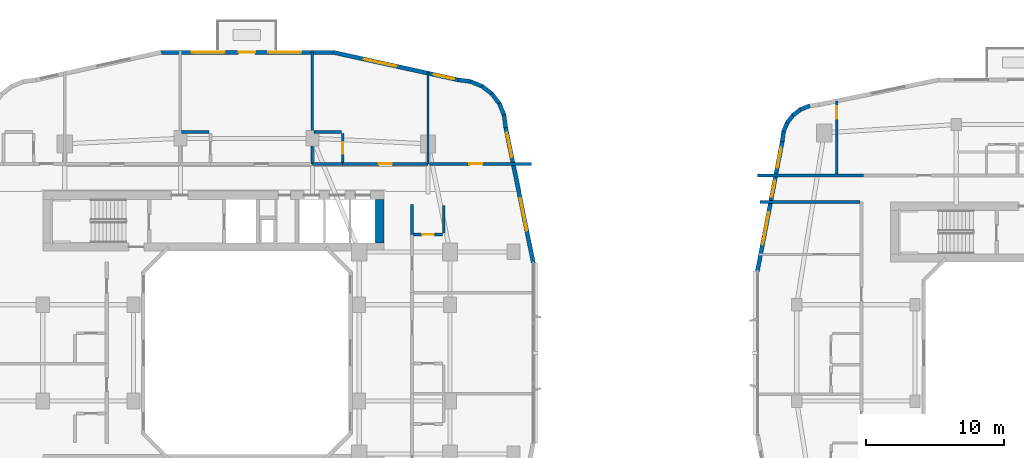
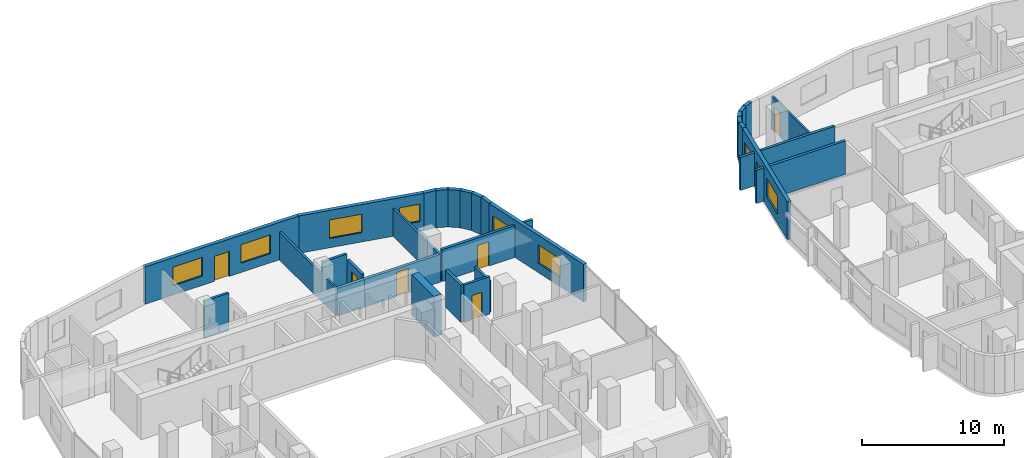
# One storey, part 12 of 22: 30 walls, 9 windows, 6 doors, 15 openings.
"""IFC4 building model written with IfcOpenShell, lengths in metres."""

import ifcopenshell
import ifcopenshell.guid

model = None  # the IFC model being written
_history = None  # IfcOwnerHistory: only IFC2X3 demands one
_inside = {}  # id of a spatial element -> (the spatial element, [elements in it])
_under = {}  # id of a project, library or spatial element -> (it, [spatial elements below it])
_declared = {}  # id of a project -> (the project, [libraries it declares])
_typed = {}  # id of a type object -> (the type object, [elements of that type])
_made_of = {}  # id of a material, layer set ... -> (it, [elements and type objects made of it])


def new_model(schema):
    """Start an empty IFC model of exactly this schema.

    Asked for "IFC4X3", IfcOpenShell would pick the latest addendum, in which some entities
    have other attributes; the version numbers below select the first issue.
    IFC2X3 requires an IfcOwnerHistory on every rooted entity: one is made here for all.
    """
    global model, _history
    if schema == "IFC4X3":
        model = ifcopenshell.file(schema_version=(4, 3, 0, 0))
    else:
        model = ifcopenshell.file(schema=schema)
    _inside.clear()
    _under.clear()
    _declared.clear()
    _typed.clear()
    _made_of.clear()
    _history = None
    if model.schema == "IFC2X3":
        org = make("IfcOrganization", Name="unknown")
        user = make(
            "IfcPersonAndOrganization",
            ThePerson=make("IfcPerson", FamilyName="unknown"),
            TheOrganization=org,
        )
        app = make(
            "IfcApplication",
            ApplicationDeveloper=org,
            Version="unknown",
            ApplicationFullName="unknown",
            ApplicationIdentifier="unknown",
        )
        _history = make(
            "IfcOwnerHistory",
            OwningUser=user,
            OwningApplication=app,
            ChangeAction="ADDED",
            CreationDate=0,
        )
    return model


def make(cls, **values):
    """One entity of the class cls with the attributes given. An attribute that is None is left unset."""
    return model.create_entity(
        cls, **{name: value for name, value in values.items() if value is not None}
    )


def rooted(cls, **values):
    """An entity with a GlobalId (a new one), such as an element, a storey or a relation."""
    return make(cls, GlobalId=ifcopenshell.guid.new(), OwnerHistory=_history, **values)


def si_unit(unit_type, name, prefix=None):
    """IfcSIUnit, for example si_unit("LENGTHUNIT", "METRE", prefix="MILLI")."""
    return make("IfcSIUnit", UnitType=unit_type, Prefix=prefix, Name=name)


def derived_unit(unit_type, elements):
    """IfcDerivedUnit: a product of units, each with its exponent."""
    return make(
        "IfcDerivedUnit",
        Elements=[
            make("IfcDerivedUnitElement", Unit=unit, Exponent=power)
            for unit, power in elements
        ],
        UnitType=unit_type,
    )


def assignment(units):
    """IfcUnitAssignment: the units of a project."""
    return None if units is None else make("IfcUnitAssignment", Units=units)


def point(xyz):
    """IfcCartesianPoint."""
    return None if xyz is None else make("IfcCartesianPoint", Coordinates=xyz)


def direction(xyz):
    """IfcDirection."""
    return None if xyz is None else make("IfcDirection", DirectionRatios=xyz)


def frame(location, z_axis=None, x_axis=None):
    """IfcAxis2Placement3D, a coordinate frame: its origin and axes. An axis left out is left unset."""
    return make(
        "IfcAxis2Placement3D",
        Location=point(location),
        Axis=direction(z_axis),
        RefDirection=direction(x_axis),
    )


def frame_2d(location, x_axis=None):
    """IfcAxis2Placement2D, a coordinate frame in the plane: its origin and x axis."""
    return make(
        "IfcAxis2Placement2D", Location=point(location), RefDirection=direction(x_axis)
    )


def origin():
    """The frame at (0, 0, 0) with its axes left unset."""
    return frame((0.0, 0.0, 0.0))


def place(relative_to, where):
    """IfcLocalPlacement: puts the frame where relative to a parent placement (None: the world)."""
    return make(
        "IfcLocalPlacement", PlacementRelTo=relative_to, RelativePlacement=where
    )


def context(
    kind, dimensions, precision=None, world=None, true_north=None, identifier=None
):
    """IfcGeometricRepresentationContext, for example the 3D "Model" context."""
    return make(
        "IfcGeometricRepresentationContext",
        ContextIdentifier=identifier,
        ContextType=kind,
        CoordinateSpaceDimension=dimensions,
        Precision=precision,
        WorldCoordinateSystem=world,
        TrueNorth=true_north,
    )


def subcontext(parent, identifier, kind, view, scale=None):
    """IfcGeometricRepresentationSubContext, for example "Body" below "Model"."""
    return make(
        "IfcGeometricRepresentationSubContext",
        ContextIdentifier=identifier,
        ContextType=kind,
        ParentContext=parent,
        TargetScale=scale,
        TargetView=view,
    )


def project(units=None, contexts=None):
    """IfcProject with its units and contexts."""
    return rooted(
        "IfcProject",
        Name="project",
        RepresentationContexts=contexts,
        UnitsInContext=assignment(units),
    )


def spatial(cls, under=None, at=None, **own):
    """A site, building, storey or space (cls), placed at a placement, below another one or the project."""
    s = rooted(cls, ObjectPlacement=at, **own)
    if under is not None:
        _under.setdefault(under.id(), (under, []))[1].append(s)
    return s


def profile(cls, at=None, kind="AREA", **sizes):
    """A parametric profile (cls). Its sizes go by their IFC names, for example OverallWidth=200.0."""
    return make(cls, ProfileType=kind, Position=at, **sizes)


def rectangle(**sizes):
    """IfcRectangleProfileDef."""
    return profile("IfcRectangleProfileDef", **sizes)


def extrude(swept, where, along, depth):
    """IfcExtrudedAreaSolid: the profile swept, set in the frame where, extruded along a direction by depth."""
    return make(
        "IfcExtrudedAreaSolid",
        SweptArea=swept,
        Position=where,
        ExtrudedDirection=direction(along),
        Depth=depth,
    )


def shape(context_of_items, identifier, shape_type, items):
    """IfcShapeRepresentation: the items that make up one representation, for example the "Body"."""
    return make(
        "IfcShapeRepresentation",
        ContextOfItems=context_of_items,
        RepresentationIdentifier=identifier,
        RepresentationType=shape_type,
        Items=items,
    )


def material(Name=None, Category=None):
    """IfcMaterial."""
    return make("IfcMaterial", Name=Name, Category=Category)


def layer(
    of_material, thickness, ventilated=None, Name=None, Category=None, Priority=None
):
    """IfcMaterialLayer: one layer of a wall or slab, of a material (None: an air gap)."""
    return make(
        "IfcMaterialLayer",
        Material=of_material,
        LayerThickness=thickness,
        IsVentilated=ventilated,
        Name=Name,
        Category=Category,
        Priority=Priority,
    )


def layer_set(layers, Name=None):
    """IfcMaterialLayerSet."""
    return make("IfcMaterialLayerSet", MaterialLayers=layers, LayerSetName=Name)


def made_of(thing, what):
    """Note that an element or type object is made of a material, layer set ...; save() writes the relation."""
    if what is not None:
        _made_of.setdefault(what.id(), (what, []))[1].append(thing)
    return thing


def type_object(cls, material=None, **own):
    """A type object (cls), such as IfcWallType, which elements share."""
    return made_of(rooted(cls, **own), material)


def element(
    cls,
    number,
    at=None,
    inside=None,
    cuts=None,
    type_object=None,
    material=None,
    context=None,
    identifier="Body",
    shape_type=None,
    held_by="IfcProductDefinitionShape",
    body=None,
    shapes=None,
    **own,
):
    """One element of the class cls, such as IfcWall. Its Tag is "e" and its number.

    at: its placement. inside: the storey or other place that contains it. cuts: it is an
    opening in that element (IfcRelVoidsElement). A single representation is given by context,
    identifier, shape_type and body (its items); several are given by shapes. held_by: the class
    of the entity that holds the representations. save() writes the other relations.
    """
    e = rooted(cls, Tag="e%d" % number, ObjectPlacement=at, **own)
    if body is not None:
        shapes = [shape(context, identifier, shape_type, body)]
    if shapes is not None:
        e.Representation = make(held_by, Representations=shapes)
    if inside is not None:
        _inside.setdefault(inside.id(), (inside, []))[1].append(e)
    if cuts is not None:
        rooted(
            "IfcRelVoidsElement", RelatingBuildingElement=cuts, RelatedOpeningElement=e
        )
    if type_object is not None:
        _typed.setdefault(type_object.id(), (type_object, []))[1].append(e)
    return made_of(e, material)


def fill(opening, filler):
    """IfcRelFillsElement: the door or window that sits in an opening."""
    return rooted(
        "IfcRelFillsElement",
        RelatingOpeningElement=opening,
        RelatedBuildingElement=filler,
    )


def aggregate(whole, parts):
    """IfcRelAggregates: a whole, such as a stair, and the parts it consists of."""
    return rooted("IfcRelAggregates", RelatingObject=whole, RelatedObjects=parts)


def save(model, path):
    """Write the relations noted so far, then the file.

    IfcRelAggregates (storeys below a building ...), IfcRelContainedInSpatialStructure (elements
    in a storey), IfcRelDefinesByType, IfcRelAssociatesMaterial and IfcRelDeclares: one each for
    every whole, place, type object, material and project.
    """
    for whole, parts in _under.values():
        aggregate(whole, parts)
    for where, things in _inside.values():
        rooted(
            "IfcRelContainedInSpatialStructure",
            RelatedElements=things,
            RelatingStructure=where,
        )
    for kind, things in _typed.values():
        rooted("IfcRelDefinesByType", RelatedObjects=things, RelatingType=kind)
    for what, things in _made_of.values():
        rooted("IfcRelAssociatesMaterial", RelatedObjects=things, RelatingMaterial=what)
    for by, libraries in _declared.values():
        rooted("IfcRelDeclares", RelatingContext=by, RelatedDefinitions=libraries)
    model.write(path)


model = new_model("IFC4")

# Units and contexts
model_context = context("Model", 3, precision=1e-05, world=origin(), true_north=direction((0.0, 1.0)))
body_context = subcontext(model_context, "Body", "Model", "MODEL_VIEW")
ifc_project = project(units=[si_unit("LENGTHUNIT", "METRE"), si_unit("AREAUNIT", "SQUARE_METRE"), si_unit("VOLUMEUNIT", "CUBIC_METRE"), si_unit("PLANEANGLEUNIT", "RADIAN"), si_unit("MASSUNIT", "GRAM", prefix="KILO"), derived_unit("THERMALTRANSMITTANCEUNIT", [(si_unit("POWERUNIT", "WATT"), 1), (si_unit("LENGTHUNIT", "METRE"), -2), (si_unit("THERMODYNAMICTEMPERATUREUNIT", "KELVIN"), -1)])], contexts=[model_context])

# Site, building, storey
site_placement = place(None, origin())
site = spatial("IfcSite", under=ifc_project, at=site_placement, CompositionType="ELEMENT")
building_placement = place(site_placement, origin())
building = spatial("IfcBuilding", under=site, at=building_placement, Name="Kivonza Crest Hotel", CompositionType="ELEMENT")
storey_placement = place(building_placement, frame((0.0, 0.0, 27.5)))
storey = spatial("IfcBuildingStorey", under=building, at=storey_placement, Name="L06", CompositionType="ELEMENT", Elevation=27.5)

# Walls
ifc_material_1 = material(Name="High-density acoustic masonry inter-tenancy wall", Category="masonry")
ifc_layer_1 = layer(ifc_material_1, 0.179931640625)
ifc_layer_set_1 = layer_set([ifc_layer_1], Name="High-density acoustic masonry inter-tenancy wall")
wall_type_1 = type_object("IfcWallType", Name="WL-ACOU-180", PredefinedType="SOLIDWALL", material=ifc_layer_set_1)
wall_1_placement = place(storey_placement, frame((25.800048828125, 38.75, 0.0), z_axis=(0.0, 0.0, 1.0), x_axis=(0.0, 1.0, 0.0)))
element("IfcWall", 1, at=wall_1_placement, inside=storey, type_object=wall_type_1, Name="L06 interior partition WA-L06-T1N-DIV3", PredefinedType="SOLIDWALL", context=body_context, shape_type="SweptSolid", body=[
    extrude(rectangle(XDim=8.18994140625, YDim=0.179931640625, at=frame_2d((4.094970703125, 0.0))), origin(), (0.0, 0.0, 1.0), 2.39501953125),
])
wall_2_placement = place(storey_placement, frame((34.199951171875, 38.75, 0.0), z_axis=(0.0, 0.0, 1.0), x_axis=(0.0, 1.0, 0.0)))
element("IfcWall", 2, at=wall_2_placement, inside=storey, type_object=wall_type_1, Name="L06 interior partition WA-L06-T1N-DIV4", PredefinedType="SOLIDWALL", context=body_context, shape_type="SweptSolid", body=[
    extrude(rectangle(XDim=6.674072265625, YDim=0.179931640625, at=frame_2d((3.3369140625, 0.0))), origin(), (0.0, 0.0, 1.0), 2.39501953125),
])
ifc_material_2 = material(Name="Autoclaved aerated concrete blockwork", Category="masonry")
ifc_layer_2 = layer(ifc_material_2, 0.219970703125)
ifc_layer_set_2 = layer_set([ifc_layer_2], Name="Autoclaved aerated concrete blockwork")
wall_type_2 = type_object("IfcWallType", Name="WL-ACOU-220", PredefinedType="SOLIDWALL", material=ifc_layer_set_2)
wall_3_placement = place(storey_placement, frame((25.800048828125, 38.75, 0.0), z_axis=(0.0, 0.0, 1.0), x_axis=(1.0, 0.0, 0.0)))
element("IfcWall", 3, at=wall_3_placement, inside=storey, type_object=wall_type_2, Name="L06 interior partition WA-L06-N03-BCORR", PredefinedType="SOLIDWALL", context=body_context, shape_type="SweptSolid", body=[
    extrude(rectangle(XDim=2.199951171875, YDim=0.219970703125, at=frame_2d((1.10009765625, 0.0))), origin(), (0.0, 0.0, 1.0), 2.39501953125),
])

# Wall, opening, door
wall_4_placement = place(storey_placement, frame((28.0, 38.75, 0.0), z_axis=(0.0, 0.0, 1.0), x_axis=(1.0, 0.0, 0.0)))
wall_4 = element("IfcWall", 4, at=wall_4_placement, inside=storey, type_object=wall_type_2, Name="L06 interior partition WA-L06-N03-MCORR", PredefinedType="SOLIDWALL", context=body_context, shape_type="SweptSolid", body=[
    extrude(rectangle(XDim=6.199951171875, YDim=0.219970703125, at=frame_2d((3.10009765625, 0.0))), origin(), (0.0, 0.0, 1.0), 2.39501953125),
])
opening_1_placement = place(wall_4_placement, frame((2.625, 0.0, 0.0)))
opening_1 = element("IfcOpeningElement", 5, at=opening_1_placement, cuts=wall_4, Name="Opening DU-60", PredefinedType="OPENING", context=body_context, shape_type="SweptSolid", body=[
    extrude(rectangle(XDim=0.949951171875, YDim=2.10009765625, at=frame_2d((0.47509765625, 1.050048828125))), frame((0.0, 0.1201171875, 0.0), z_axis=(0.0, -1.0, 0.0), x_axis=(1.0, 0.0, 0.0)), (0.0, 0.0, 1.0), 0.239990234375),
])
ifc_material_3 = material(Name="Hardwood timber oak", Category="wood")
door_type_1 = type_object("IfcDoorType", Name="DR-UNIT-950", OperationType="NOTDEFINED", PredefinedType="DOOR", material=ifc_material_3)
door_1_placement = place(opening_1_placement, origin())
door_1 = element("IfcDoor", 6, at=door_1_placement, inside=storey, type_object=door_type_1, Name="L06 N03 guest unit entrance fire door", OperationType="SINGLE_SWING_LEFT", OverallHeight=2.10009765625, OverallWidth=0.949951171875, PredefinedType="DOOR", context=body_context, shape_type="SweptSolid", body=[
    extrude(rectangle(XDim=0.949951171875, YDim=2.10009765625, at=frame_2d((0.47509765625, 1.050048828125))), frame((0.0, 0.02490234375, 0.0), z_axis=(0.0, -1.0, 0.0), x_axis=(1.0, 0.0, 0.0)), (0.0, 0.0, 1.0), 0.050048828125),
])
fill(opening_1, door_1)

wall_5_placement = place(storey_placement, frame((34.300048828125, 38.75, 0.0), z_axis=(0.0, 0.0, 1.0), x_axis=(1.0, 0.0, 0.0)))
wall_5 = element("IfcWall", 7, at=wall_5_placement, inside=storey, type_object=wall_type_2, Name="L06 interior partition WA-L06-N-AMEN-S", PredefinedType="SOLIDWALL", context=body_context, shape_type="SweptSolid", body=[
    extrude(rectangle(XDim=7.43994140625, YDim=0.219970703125, at=frame_2d((3.719970703125, 0.0))), origin(), (0.0, 0.0, 1.0), 2.7451171875),
])
opening_2_placement = place(wall_5_placement, frame((2.910888671875, 0.0, 0.0)))
opening_2 = element("IfcOpeningElement", 8, at=opening_2_placement, cuts=wall_5, Name="Opening DF-60S", PredefinedType="OPENING", context=body_context, shape_type="SweptSolid", body=[
    extrude(rectangle(XDim=0.949951171875, YDim=2.10009765625, at=frame_2d((0.47509765625, 1.050048828125))), frame((0.0, 0.1201171875, 0.0), z_axis=(0.0, -1.0, 0.0), x_axis=(1.0, 0.0, 0.0)), (0.0, 0.0, 1.0), 0.239990234375),
])
door_type_2 = type_object("IfcDoorType", Name="DR-FD60-950", OperationType="NOTDEFINED", PredefinedType="DOOR", material=ifc_material_3)
door_2_placement = place(opening_2_placement, origin())
door_2 = element("IfcDoor", 9, at=door_2_placement, inside=storey, type_object=door_type_2, Name="L06 Private Fitness Gym Studio door", OperationType="SINGLE_SWING_LEFT", OverallHeight=2.10009765625, OverallWidth=0.949951171875, PredefinedType="DOOR", context=body_context, shape_type="SweptSolid", body=[
    extrude(rectangle(XDim=0.949951171875, YDim=2.10009765625, at=frame_2d((0.47509765625, 1.050048828125))), frame((0.0, 0.02490234375, 0.0), z_axis=(0.0, -1.0, 0.0), x_axis=(1.0, 0.0, 0.0)), (0.0, 0.0, 1.0), 0.050048828125),
])
fill(opening_2, door_2)

# Walls
wall_6_placement = place(storey_placement, frame((33.050048828125, 33.60009765625, 0.0), z_axis=(0.0, 0.0, 1.0), x_axis=(0.0, 1.0, 0.0)))
element("IfcWall", 10, at=wall_6_placement, inside=storey, type_object=wall_type_2, Name="L06 interior partition WA-L06-E10-BCORR", PredefinedType="SOLIDWALL", context=body_context, shape_type="SweptSolid", body=[
    extrude(rectangle(XDim=2.199951171875, YDim=0.219970703125, at=frame_2d((1.10009765625, 0.0))), origin(), (0.0, 0.0, 1.0), 3.219970703125),
])
wall_7_placement = place(storey_placement, frame((58.159912109375, 37.89990234375, 0.0), z_axis=(0.0, 0.0, 1.0), x_axis=(1.0, 0.0, 0.0)))
element("IfcWall", 11, at=wall_7_placement, inside=storey, type_object=wall_type_2, Name="L06 interior partition WA-L06-A01-LCORR", PredefinedType="SOLIDWALL", context=body_context, shape_type="SweptSolid", body=[
    extrude(rectangle(XDim=7.690185546875, YDim=0.219970703125, at=frame_2d((3.84521484375, 0.0))), origin(), (0.0, 0.0, 1.0), 2.864990234375),
])
wall_8_placement = place(storey_placement, frame((58.320068359375, 35.9599609375, 0.0), z_axis=(0.0, 0.0, 1.0), x_axis=(1.0, 0.0, 0.0)))
element("IfcWall", 12, at=wall_8_placement, inside=storey, type_object=wall_type_2, Name="L06 interior partition WA-L06-T2W-ENDN", PredefinedType="SOLIDWALL", context=body_context, shape_type="SweptSolid", body=[
    extrude(rectangle(XDim=7.280029296875, YDim=0.219970703125, at=frame_2d((3.64013671875, 0.0))), origin(), (0.0, 0.0, 1.0), 2.864990234375),
])
ifc_material_4 = material(Name="Concrete C60/75", Category="concrete")
ifc_layer_3 = layer(ifc_material_4, 0.60009765625)
ifc_layer_set_3 = layer_set([ifc_layer_3], Name="Concrete C60/75")
wall_type_3 = type_object("IfcWallType", Name="WL-CORE-600", PredefinedType="SHEAR", material=ifc_layer_set_3)
wall_9_placement = place(storey_placement, frame((30.699951171875, 33.0, 0.0), z_axis=(0.0, 0.0, 1.0), x_axis=(0.0, 1.0, 0.0)))
element("IfcWall", 13, at=wall_9_placement, inside=storey, type_object=wall_type_3, Name="Core wall T1-N East L06", PredefinedType="SHEAR", context=body_context, shape_type="SweptSolid", body=[
    extrude(rectangle(XDim=3.159912109375, YDim=0.60009765625, at=frame_2d((1.580078125, 0.0))), origin(), (0.0, 0.0, 1.0), 3.5),
])

# Wall, openings, windows
ifc_material_5 = material(Name="Precast concrete C40/50", Category="concrete")
ifc_layer_4 = layer(ifc_material_5, 0.300048828125)
ifc_layer_set_4 = layer_set([ifc_layer_4], Name="Precast concrete C40/50")
wall_type_4 = type_object("IfcWallType", Name="WL-EXT-300", PredefinedType="STANDARD", material=ifc_layer_set_4)
wall_10_placement = place(storey_placement, frame((41.864013671875, 31.51611328125, 0.0), z_axis=(0.0, 0.0, 1.0), x_axis=(-0.199990901713, 0.979797754249, 0.0)))
wall_10 = element("IfcWall", 14, at=wall_10_placement, inside=storey, type_object=wall_type_4, Name="L06 T1 exterior insulated wall 18", PredefinedType="STANDARD", context=body_context, shape_type="SweptSolid", body=[
    extrude(rectangle(XDim=10.065185546875, YDim=0.300048828125, at=frame_2d((5.03271484375, 0.0))), origin(), (0.0, 0.0, 1.0), 3.219970703125),
])
opening_3_placement = place(wall_10_placement, frame((2.428955078125, 0.0, 0.800048828125)))
opening_3 = element("IfcOpeningElement", 15, at=opening_3_placement, cuts=wall_10, Name="Opening WN-05", PredefinedType="OPENING", context=body_context, shape_type="SweptSolid", body=[
    extrude(rectangle(XDim=2.39990234375, YDim=1.60009765625, at=frame_2d((1.199951171875, 0.800048828125))), frame((0.0, 0.16015625, 0.0), z_axis=(0.0, -1.0, 0.0), x_axis=(1.0, 0.0, 0.0)), (0.0, 0.0, 1.0), 0.320068359375),
])
opening_4_placement = place(wall_10_placement, frame((7.886962890625, 0.0, 0.85009765625)))
opening_4 = element("IfcOpeningElement", 16, at=opening_4_placement, cuts=wall_10, Name="Opening WN-03", PredefinedType="OPENING", context=body_context, shape_type="SweptSolid", body=[
    extrude(rectangle(XDim=1.800048828125, YDim=1.5, at=frame_2d((0.89990234375, 0.75))), frame((0.0, 0.16015625, 0.0), z_axis=(0.0, -1.0, 0.0), x_axis=(1.0, 0.0, 0.0)), (0.0, 0.0, 1.0), 0.320068359375),
])
ifc_material_6 = material(Name="Thermally broken bronze aluminium and low-E double glazing", Category="aluminium")
window_type_1 = type_object("IfcWindowType", Name="WN-180x150", PartitioningType="DOUBLE_PANEL_VERTICAL", PredefinedType="WINDOW", material=ifc_material_6)
window_1_placement = place(opening_4_placement, origin())
window_1 = element("IfcWindow", 17, at=window_1_placement, inside=storey, type_object=window_type_1, Name="L06 T1 facade window 18 bay 2", OverallHeight=1.5, OverallWidth=1.800048828125, PartitioningType="SINGLE_PANEL", PredefinedType="WINDOW", context=body_context, shape_type="SweptSolid", body=[
    extrude(rectangle(XDim=1.800048828125, YDim=1.5, at=frame_2d((0.89990234375, 0.75))), frame((0.0, 0.030029296875, 0.0), z_axis=(0.0, -1.0, 0.0), x_axis=(1.0, 0.0, 0.0)), (0.0, 0.0, 1.0), 0.06005859375),
])
fill(opening_4, window_1)
window_type_2 = type_object("IfcWindowType", Name="WN-240x160", PartitioningType="TRIPLE_PANEL_VERTICAL", PredefinedType="WINDOW", material=ifc_material_6)
window_2_placement = place(opening_3_placement, origin())
window_2 = element("IfcWindow", 18, at=window_2_placement, inside=storey, type_object=window_type_2, Name="L06 T1 facade window 18 bay 1", OverallHeight=1.60009765625, OverallWidth=2.39990234375, PartitioningType="SINGLE_PANEL", PredefinedType="WINDOW", context=body_context, shape_type="SweptSolid", body=[
    extrude(rectangle(XDim=2.39990234375, YDim=1.60009765625, at=frame_2d((1.199951171875, 0.800048828125))), frame((0.0, 0.030029296875, 0.0), z_axis=(0.0, -1.0, 0.0), x_axis=(1.0, 0.0, 0.0)), (0.0, 0.0, 1.0), 0.06005859375),
])
fill(opening_3, window_2)

# Walls
wall_11_placement = place(storey_placement, frame((39.85205078125, 41.3720703125, 0.0), z_axis=(0.0, 0.0, 1.0), x_axis=(-0.131174864804, 0.991359246108, 0.0)))
element("IfcWall", 19, at=wall_11_placement, inside=storey, type_object=wall_type_4, Name="L06 T1 exterior insulated wall 19", PredefinedType="STANDARD", context=body_context, shape_type="SweptSolid", body=[
    extrude(rectangle(XDim=0.93798828125, YDim=0.300048828125, at=frame_2d((0.468994140625, 0.0))), origin(), (0.0, 0.0, 1.0), 3.219970703125),
])
wall_12_placement = place(storey_placement, frame((39.748046875, 42.251953125, 0.0), z_axis=(0.0, 0.0, 1.0), x_axis=(-0.382344263057, 0.924019948111, 0.0)))
element("IfcWall", 20, at=wall_12_placement, inside=storey, type_object=wall_type_4, Name="L06 T1 exterior insulated wall 20", PredefinedType="STANDARD", context=body_context, shape_type="SweptSolid", body=[
    extrude(rectangle(XDim=0.95458984375, YDim=0.300048828125, at=frame_2d((0.477294921875, 0.0))), origin(), (0.0, 0.0, 1.0), 3.219970703125),
])
wall_13_placement = place(storey_placement, frame((39.4140625, 43.089111328125, 0.0), z_axis=(0.0, 0.0, 1.0), x_axis=(-0.608474481025, 0.793573440799, 0.0)))
element("IfcWall", 21, at=wall_13_placement, inside=storey, type_object=wall_type_4, Name="L06 T1 exterior insulated wall 21", PredefinedType="STANDARD", context=body_context, shape_type="SweptSolid", body=[
    extrude(rectangle(XDim=0.954833984375, YDim=0.300048828125, at=frame_2d((0.4775390625, 0.0))), origin(), (0.0, 0.0, 1.0), 3.219970703125),
])
wall_14_placement = place(storey_placement, frame((38.875, 43.81201171875, 0.0), z_axis=(0.0, 0.0, 1.0), x_axis=(-0.793668068435, 0.608351047625, 0.0)))
element("IfcWall", 22, at=wall_14_placement, inside=storey, type_object=wall_type_4, Name="L06 T1 exterior insulated wall 22", PredefinedType="STANDARD", context=body_context, shape_type="SweptSolid", body=[
    extrude(rectangle(XDim=0.955078125, YDim=0.300048828125, at=frame_2d((0.4775390625, 0.0))), origin(), (0.0, 0.0, 1.0), 3.219970703125),
])
wall_15_placement = place(storey_placement, frame((38.166015625, 44.368896484375, 0.0), z_axis=(0.0, 0.0, 1.0), x_axis=(-0.924019948111, 0.382344263057, 0.0)))
element("IfcWall", 23, at=wall_15_placement, inside=storey, type_object=wall_type_4, Name="L06 T1 exterior insulated wall 23", PredefinedType="STANDARD", context=body_context, shape_type="SweptSolid", body=[
    extrude(rectangle(XDim=0.95458984375, YDim=0.300048828125, at=frame_2d((0.477294921875, 0.0))), origin(), (0.0, 0.0, 1.0), 3.219970703125),
])
wall_16_placement = place(storey_placement, frame((37.3369140625, 44.72509765625, 0.0), z_axis=(0.0, 0.0, 1.0), x_axis=(-0.991454295543, 0.130454512571, 0.0)))
element("IfcWall", 24, at=wall_16_placement, inside=storey, type_object=wall_type_4, Name="L06 T1 exterior insulated wall 24", PredefinedType="STANDARD", context=body_context, shape_type="SweptSolid", body=[
    extrude(rectangle(XDim=0.97314453125, YDim=0.300048828125, at=frame_2d((0.486572265625, 0.0))), origin(), (0.0, 0.0, 1.0), 3.219970703125),
])

# Wall, openings, windows
wall_17_placement = place(storey_placement, frame((36.3759765625, 44.85205078125, 0.0), z_axis=(0.0, 0.0, 1.0), x_axis=(-0.976540764801, 0.215332614068, 0.0)))
wall_17 = element("IfcWall", 25, at=wall_17_placement, inside=storey, type_object=wall_type_4, Name="L06 T1 exterior insulated wall 25", PredefinedType="STANDARD", context=body_context, shape_type="SweptSolid", body=[
    extrude(rectangle(XDim=9.287841796875, YDim=0.300048828125, at=frame_2d((4.64404296875, 0.0))), origin(), (0.0, 0.0, 1.0), 3.219970703125),
])
opening_5_placement = place(wall_17_placement, frame((0.299072265625, 0.0, 0.85009765625)))
opening_5 = element("IfcOpeningElement", 26, at=opening_5_placement, cuts=wall_17, Name="Opening WN-02", PredefinedType="OPENING", context=body_context, shape_type="SweptSolid", body=[
    extrude(rectangle(XDim=1.5, YDim=1.5, at=frame_2d((0.75, 0.75))), frame((0.0, 0.16015625, 0.0), z_axis=(0.0, -1.0, 0.0), x_axis=(1.0, 0.0, 0.0)), (0.0, 0.0, 1.0), 0.320068359375),
])
opening_6_placement = place(wall_17_placement, frame((4.597900390625, 0.0, 0.800048828125)))
opening_6 = element("IfcOpeningElement", 27, at=opening_6_placement, cuts=wall_17, Name="Opening WN-05", PredefinedType="OPENING", context=body_context, shape_type="SweptSolid", body=[
    extrude(rectangle(XDim=2.39990234375, YDim=1.60009765625, at=frame_2d((1.199951171875, 0.800048828125))), frame((0.0, 0.16015625, 0.0), z_axis=(0.0, -1.0, 0.0), x_axis=(1.0, 0.0, 0.0)), (0.0, 0.0, 1.0), 0.320068359375),
])
window_type_3 = type_object("IfcWindowType", Name="WN-150x150", PartitioningType="DOUBLE_PANEL_VERTICAL", PredefinedType="WINDOW", material=ifc_material_6)
window_3_placement = place(opening_5_placement, origin())
window_3 = element("IfcWindow", 28, at=window_3_placement, inside=storey, type_object=window_type_3, Name="L06 T1 facade window 25 bay 1", OverallHeight=1.5, OverallWidth=1.5, PartitioningType="SINGLE_PANEL", PredefinedType="WINDOW", context=body_context, shape_type="SweptSolid", body=[
    extrude(rectangle(XDim=1.5, YDim=1.5, at=frame_2d((0.75, 0.75))), frame((0.0, 0.030029296875, 0.0), z_axis=(0.0, -1.0, 0.0), x_axis=(1.0, 0.0, 0.0)), (0.0, 0.0, 1.0), 0.06005859375),
])
fill(opening_5, window_3)
window_4_placement = place(opening_6_placement, origin())
window_4 = element("IfcWindow", 29, at=window_4_placement, inside=storey, type_object=window_type_2, Name="L06 T1 facade window 25 bay 2", OverallHeight=1.60009765625, OverallWidth=2.39990234375, PartitioningType="SINGLE_PANEL", PredefinedType="WINDOW", context=body_context, shape_type="SweptSolid", body=[
    extrude(rectangle(XDim=2.39990234375, YDim=1.60009765625, at=frame_2d((1.199951171875, 0.800048828125))), frame((0.0, 0.030029296875, 0.0), z_axis=(0.0, -1.0, 0.0), x_axis=(1.0, 0.0, 0.0)), (0.0, 0.0, 1.0), 0.06005859375),
])
fill(opening_6, window_4)

# Wall, openings, door, windows
wall_18_placement = place(storey_placement, frame((27.35302734375, 46.85009765625, 0.0), z_axis=(0.0, 0.0, 1.0), x_axis=(-1.0, 0.0, 0.0)))
wall_18 = element("IfcWall", 30, at=wall_18_placement, inside=storey, type_object=wall_type_4, Name="L06 T1 exterior insulated wall 26", PredefinedType="STANDARD", context=body_context, shape_type="SweptSolid", body=[
    extrude(rectangle(XDim=12.591064453125, YDim=0.300048828125, at=frame_2d((6.29541015625, 0.0))), origin(), (0.0, 0.0, 1.0), 3.219970703125),
])
opening_7_placement = place(wall_18_placement, frame((5.712890625, 0.0, 0.0)))
opening_7 = element("IfcOpeningElement", 31, at=opening_7_placement, cuts=wall_18, Name="Opening DT-120", PredefinedType="OPENING", context=body_context, shape_type="SweptSolid", body=[
    extrude(rectangle(XDim=1.199951171875, YDim=2.14990234375, at=frame_2d((0.60009765625, 1.074951171875))), frame((0.0, 0.16015625, 0.0), z_axis=(0.0, -1.0, 0.0), x_axis=(1.0, 0.0, 0.0)), (0.0, 0.0, 1.0), 0.320068359375),
])
opening_8_placement = place(wall_18_placement, frame((2.35791015625, 0.0, 0.800048828125)))
opening_8 = element("IfcOpeningElement", 32, at=opening_8_placement, cuts=wall_18, Name="Opening WN-05", PredefinedType="OPENING", context=body_context, shape_type="SweptSolid", body=[
    extrude(rectangle(XDim=2.39990234375, YDim=1.60009765625, at=frame_2d((1.199951171875, 0.800048828125))), frame((0.0, 0.16015625, 0.0), z_axis=(0.0, -1.0, 0.0), x_axis=(1.0, 0.0, 0.0)), (0.0, 0.0, 1.0), 0.320068359375),
])
opening_9_placement = place(wall_18_placement, frame((7.907958984375, 0.0, 0.800048828125)))
opening_9 = element("IfcOpeningElement", 33, at=opening_9_placement, cuts=wall_18, Name="Opening WN-05", PredefinedType="OPENING", context=body_context, shape_type="SweptSolid", body=[
    extrude(rectangle(XDim=2.39990234375, YDim=1.60009765625, at=frame_2d((1.199951171875, 0.800048828125))), frame((0.0, 0.16015625, 0.0), z_axis=(0.0, -1.0, 0.0), x_axis=(1.0, 0.0, 0.0)), (0.0, 0.0, 1.0), 0.320068359375),
])
ifc_material_7 = material(Name="Anodised bronze aluminium and laminated safety glass", Category="aluminium")
door_type_3 = type_object("IfcDoorType", Name="DR-TERR-1200", OperationType="NOTDEFINED", PredefinedType="DOOR", material=ifc_material_7)
door_3_placement = place(opening_7_placement, frame((1.199951171875, 0.0, 0.0), z_axis=(0.0, 0.0, 1.0), x_axis=(-1.0, 0.0, 0.0)))
door_3 = element("IfcDoor", 34, at=door_3_placement, inside=storey, type_object=door_type_3, Name="T1 L06 NE sky-garden bridge access door", OperationType="SINGLE_SWING_LEFT", OverallHeight=2.14990234375, OverallWidth=1.199951171875, PredefinedType="DOOR", context=body_context, shape_type="SweptSolid", body=[
    extrude(rectangle(XDim=1.199951171875, YDim=2.14990234375, at=frame_2d((0.60009765625, 1.074951171875))), frame((0.0, 0.02490234375, 0.0), z_axis=(0.0, -1.0, 0.0), x_axis=(1.0, 0.0, 0.0)), (0.0, 0.0, 1.0), 0.050048828125),
])
fill(opening_7, door_3)
window_5_placement = place(opening_8_placement, origin())
window_5 = element("IfcWindow", 35, at=window_5_placement, inside=storey, type_object=window_type_2, Name="L06 T1 facade window 26 bay 1", OverallHeight=1.60009765625, OverallWidth=2.39990234375, PartitioningType="SINGLE_PANEL", PredefinedType="WINDOW", context=body_context, shape_type="SweptSolid", body=[
    extrude(rectangle(XDim=2.39990234375, YDim=1.60009765625, at=frame_2d((1.199951171875, 0.800048828125))), frame((0.0, 0.030029296875, 0.0), z_axis=(0.0, -1.0, 0.0), x_axis=(1.0, 0.0, 0.0)), (0.0, 0.0, 1.0), 0.06005859375),
])
fill(opening_8, window_5)
window_6_placement = place(opening_9_placement, origin())
window_6 = element("IfcWindow", 36, at=window_6_placement, inside=storey, type_object=window_type_2, Name="L06 T1 facade window 26 bay 2", OverallHeight=1.60009765625, OverallWidth=2.39990234375, PartitioningType="SINGLE_PANEL", PredefinedType="WINDOW", context=body_context, shape_type="SweptSolid", body=[
    extrude(rectangle(XDim=2.39990234375, YDim=1.60009765625, at=frame_2d((1.199951171875, 0.800048828125))), frame((0.0, 0.030029296875, 0.0), z_axis=(0.0, -1.0, 0.0), x_axis=(1.0, 0.0, 0.0)), (0.0, 0.0, 1.0), 0.06005859375),
])
fill(opening_9, window_6)

# Walls
for number, where, z_axis, x_axis, name in (
    (37, (61.955078125, 42.97607421875, 0.0), (0.0, 0.0, 1.0), (-0.923521684703, -0.383546213491, 0.0), "L06 T2 exterior insulated wall 29"),
    (38, (61.31103515625, 42.720947265625, 0.0), (0.0, 0.0, 1.0), (-0.79363269798, -0.608397189915, 0.0), "L06 T2 exterior insulated wall 30"),
    (39, (60.75390625, 42.30908203125, 0.0), (0.0, 0.0, 1.0), (-0.608397189915, -0.79363269798, 0.0), "L06 T2 exterior insulated wall 31"),
    (40, (60.323974609375, 41.76611328125, 0.0), (0.0, 0.0, 1.0), (-0.383151213466, -0.923685632463, 0.0), "L06 T2 exterior insulated wall 32"),
):
    element("IfcWall", number, at=place(storey_placement, frame(where, z_axis=z_axis, x_axis=x_axis)), inside=storey, type_object=wall_type_4, Name=name, PredefinedType="STANDARD", context=body_context, shape_type="SweptSolid", body=[
        extrude(rectangle(XDim=0.74609375, YDim=0.300048828125, at=frame_2d((0.373046875, 0.0))), origin(), (0.0, 0.0, 1.0), 3.25),
    ])
wall_19_placement = place(storey_placement, frame((60.047119140625, 41.131103515625, 0.0), z_axis=(0.0, 0.0, 1.0), x_axis=(-0.129653178221, -0.991559404866, 0.0)))
element("IfcWall", 41, at=wall_19_placement, inside=storey, type_object=wall_type_4, Name="L06 T2 exterior insulated wall 33", PredefinedType="STANDARD", context=body_context, shape_type="SweptSolid", body=[
    extrude(rectangle(XDim=0.764404296875, YDim=0.300048828125, at=frame_2d((0.38232421875, 0.0))), origin(), (0.0, 0.0, 1.0), 3.25),
])

# Wall, openings, windows
wall_20_placement = place(storey_placement, frame((59.948974609375, 40.3798828125, 0.0), z_axis=(0.0, 0.0, 1.0), x_axis=(-0.188087874316, -0.982152203854, 0.0)))
wall_20 = element("IfcWall", 42, at=wall_20_placement, inside=storey, type_object=wall_type_4, Name="L06 T2 exterior insulated wall 34", PredefinedType="STANDARD", context=body_context, shape_type="SweptSolid", body=[
    extrude(rectangle(XDim=9.6337890625, YDim=0.300048828125, at=frame_2d((4.81689453125, 0.0))), origin(), (0.0, 0.0, 1.0), 3.25),
])
opening_10_placement = place(wall_20_placement, frame((0.451904296875, 0.0, 0.85009765625)))
opening_10 = element("IfcOpeningElement", 43, at=opening_10_placement, cuts=wall_20, Name="Opening WN-02", PredefinedType="OPENING", context=body_context, shape_type="SweptSolid", body=[
    extrude(rectangle(XDim=1.5, YDim=1.5, at=frame_2d((0.75, 0.75))), frame((0.0, 0.16015625, 0.0), z_axis=(0.0, -1.0, 0.0), x_axis=(1.0, 0.0, 0.0)), (0.0, 0.0, 1.0), 0.320068359375),
])
opening_11_placement = place(wall_20_placement, frame((2.9130859375, 0.0, 0.85009765625)))
opening_11 = element("IfcOpeningElement", 44, at=opening_11_placement, cuts=wall_20, Name="Opening WN-01", PredefinedType="OPENING", context=body_context, shape_type="SweptSolid", body=[
    extrude(rectangle(XDim=1.199951171875, YDim=1.5, at=frame_2d((0.60009765625, 0.75))), frame((0.0, 0.16015625, 0.0), z_axis=(0.0, -1.0, 0.0), x_axis=(1.0, 0.0, 0.0)), (0.0, 0.0, 1.0), 0.320068359375),
])
opening_12_placement = place(wall_20_placement, frame((5.235107421875, 0.0, 0.800048828125)))
opening_12 = element("IfcOpeningElement", 45, at=opening_12_placement, cuts=wall_20, Name="Opening WN-05", PredefinedType="OPENING", context=body_context, shape_type="SweptSolid", body=[
    extrude(rectangle(XDim=2.39990234375, YDim=1.60009765625, at=frame_2d((1.199951171875, 0.800048828125))), frame((0.0, 0.16015625, 0.0), z_axis=(0.0, -1.0, 0.0), x_axis=(1.0, 0.0, 0.0)), (0.0, 0.0, 1.0), 0.320068359375),
])
window_type_4 = type_object("IfcWindowType", Name="WN-120x150", PartitioningType="SINGLE_PANEL", PredefinedType="WINDOW", material=ifc_material_6)
window_7_placement = place(opening_11_placement, origin())
window_7 = element("IfcWindow", 46, at=window_7_placement, inside=storey, type_object=window_type_4, Name="L06 T2 facade window 34 bay 2", OverallHeight=1.5, OverallWidth=1.199951171875, PartitioningType="SINGLE_PANEL", PredefinedType="WINDOW", context=body_context, shape_type="SweptSolid", body=[
    extrude(rectangle(XDim=1.199951171875, YDim=1.5, at=frame_2d((0.60009765625, 0.75))), frame((0.0, 0.030029296875, 0.0), z_axis=(0.0, -1.0, 0.0), x_axis=(1.0, 0.0, 0.0)), (0.0, 0.0, 1.0), 0.06005859375),
])
fill(opening_11, window_7)
window_8_placement = place(opening_10_placement, origin())
window_8 = element("IfcWindow", 47, at=window_8_placement, inside=storey, type_object=window_type_3, Name="L06 T2 facade window 34 bay 1", OverallHeight=1.5, OverallWidth=1.5, PartitioningType="SINGLE_PANEL", PredefinedType="WINDOW", context=body_context, shape_type="SweptSolid", body=[
    extrude(rectangle(XDim=1.5, YDim=1.5, at=frame_2d((0.75, 0.75))), frame((0.0, 0.030029296875, 0.0), z_axis=(0.0, -1.0, 0.0), x_axis=(1.0, 0.0, 0.0)), (0.0, 0.0, 1.0), 0.06005859375),
])
fill(opening_10, window_8)
window_9_placement = place(opening_12_placement, origin())
window_9 = element("IfcWindow", 48, at=window_9_placement, inside=storey, type_object=window_type_2, Name="L06 T2 facade window 34 bay 3", OverallHeight=1.60009765625, OverallWidth=2.39990234375, PartitioningType="SINGLE_PANEL", PredefinedType="WINDOW", context=body_context, shape_type="SweptSolid", body=[
    extrude(rectangle(XDim=2.39990234375, YDim=1.60009765625, at=frame_2d((1.199951171875, 0.800048828125))), frame((0.0, 0.030029296875, 0.0), z_axis=(0.0, -1.0, 0.0), x_axis=(1.0, 0.0, 0.0)), (0.0, 0.0, 1.0), 0.06005859375),
])
fill(opening_12, window_9)

# Wall, opening, door
ifc_material_8 = material(Name="Twin-stud acoustic gypsum board partition", Category="gypsum")
ifc_layer_5 = layer(ifc_material_8, 0.14990234375)
ifc_layer_set_5 = layer_set([ifc_layer_5], Name="Twin-stud acoustic gypsum board partition")
wall_type_5 = type_object("IfcWallType", Name="WL-PART-150", PredefinedType="PARTITIONING", material=ifc_layer_set_5)
wall_21_placement = place(storey_placement, frame((63.909912109375, 38.0, 0.0), z_axis=(0.0, 0.0, 1.0), x_axis=(0.0, 1.0, 0.0)))
wall_21 = element("IfcWall", 49, at=wall_21_placement, inside=storey, type_object=wall_type_5, Name="L06 interior partition WP-L06-A01-BDW1", PredefinedType="PARTITIONING", context=body_context, shape_type="SweptSolid", body=[
    extrude(rectangle(XDim=5.31103515625, YDim=0.14990234375, at=frame_2d((2.655517578125, 0.0))), origin(), (0.0, 0.0, 1.0), 2.864990234375),
])
opening_13_placement = place(wall_21_placement, frame((4.030029296875, 0.0, 0.0)))
opening_13 = element("IfcOpeningElement", 50, at=opening_13_placement, cuts=wall_21, Name="Opening DI-90", PredefinedType="OPENING", context=body_context, shape_type="SweptSolid", body=[
    extrude(rectangle(XDim=0.89990234375, YDim=2.10009765625, at=frame_2d((0.449951171875, 1.050048828125))), frame((0.0, 0.0849609375, 0.0), z_axis=(0.0, -1.0, 0.0), x_axis=(1.0, 0.0, 0.0)), (0.0, 0.0, 1.0), 0.169921875),
])
door_type_4 = type_object("IfcDoorType", Name="DR-INT-900", OperationType="NOTDEFINED", PredefinedType="DOOR", material=ifc_material_3)
door_4_placement = place(opening_13_placement, origin())
door_4 = element("IfcDoor", 51, at=door_4_placement, inside=storey, type_object=door_type_4, Name="L06 A01 bedroom 1 door", OperationType="SINGLE_SWING_RIGHT", OverallHeight=2.10009765625, OverallWidth=0.89990234375, PredefinedType="DOOR", context=body_context, shape_type="SweptSolid", body=[
    extrude(rectangle(XDim=0.89990234375, YDim=2.10009765625, at=frame_2d((0.449951171875, 1.050048828125))), frame((0.0, 0.02490234375, 0.0), z_axis=(0.0, -1.0, 0.0), x_axis=(1.0, 0.0, 0.0)), (0.0, 0.0, 1.0), 0.050048828125),
])
fill(opening_13, door_4)

# Wall
ifc_material_9 = material(Name="Moisture-resistant plumbing chase partition wall", Category="gypsum")
ifc_layer_6 = layer(ifc_material_9, 0.199951171875)
ifc_layer_set_6 = layer_set([ifc_layer_6], Name="Moisture-resistant plumbing chase partition wall")
wall_type_6 = type_object("IfcWallType", Name="WL-PLUMB-200", PredefinedType="PLUMBINGWALL", material=ifc_layer_set_6)
wall_22_placement = place(storey_placement, frame((16.300048828125, 41.050048828125, 0.0), z_axis=(0.0, 0.0, 1.0), x_axis=(1.0, 0.0, 0.0)))
element("IfcWall", 52, at=wall_22_placement, inside=storey, type_object=wall_type_6, Name="L06 interior partition WW-L06-N02-BH", PredefinedType="PLUMBINGWALL", context=body_context, shape_type="SweptSolid", body=[
    extrude(rectangle(XDim=2.0, YDim=0.199951171875, at=frame_2d((1.0, 0.0))), origin(), (0.0, 0.0, 1.0), 3.219970703125),
])

# Wall, opening, door
wall_23_placement = place(storey_placement, frame((28.0, 38.85009765625, 0.0), z_axis=(0.0, 0.0, 1.0), x_axis=(0.0, 1.0, 0.0)))
wall_23 = element("IfcWall", 53, at=wall_23_placement, inside=storey, type_object=wall_type_6, Name="L06 interior partition WW-L06-N03-BV", PredefinedType="PLUMBINGWALL", context=body_context, shape_type="SweptSolid", body=[
    extrude(rectangle(XDim=2.099853515625, YDim=0.199951171875, at=frame_2d((1.0498046875, 0.0))), origin(), (0.0, 0.0, 1.0), 2.7451171875),
])
opening_14_placement = place(wall_23_placement, frame((0.625, 0.0, 0.0)))
opening_14 = element("IfcOpeningElement", 54, at=opening_14_placement, cuts=wall_23, Name="Opening DI-85", PredefinedType="OPENING", context=body_context, shape_type="SweptSolid", body=[
    extrude(rectangle(XDim=0.85009765625, YDim=2.10009765625, at=frame_2d((0.425048828125, 1.050048828125))), frame((0.0, 0.10986328125, 0.0), z_axis=(0.0, -1.0, 0.0), x_axis=(1.0, 0.0, 0.0)), (0.0, 0.0, 1.0), 0.219970703125),
])
door_type_5 = type_object("IfcDoorType", Name="DR-INT-850", OperationType="NOTDEFINED", PredefinedType="DOOR", material=ifc_material_3)
door_5_placement = place(opening_14_placement, frame((0.85009765625, 0.0, 0.0), z_axis=(0.0, 0.0, 1.0), x_axis=(-1.0, 0.0, 0.0)))
door_5 = element("IfcDoor", 55, at=door_5_placement, inside=storey, type_object=door_type_5, Name="L06 N03 en-suite bathroom door", OperationType="SINGLE_SWING_RIGHT", OverallHeight=2.10009765625, OverallWidth=0.85009765625, PredefinedType="DOOR", context=body_context, shape_type="SweptSolid", body=[
    extrude(rectangle(XDim=0.85009765625, YDim=2.10009765625, at=frame_2d((0.425048828125, 1.050048828125))), frame((0.0, 0.02490234375, 0.0), z_axis=(0.0, -1.0, 0.0), x_axis=(1.0, 0.0, 0.0)), (0.0, 0.0, 1.0), 0.050048828125),
])
fill(opening_14, door_5)

# Wall
wall_24_placement = place(storey_placement, frame((25.89990234375, 41.050048828125, 0.0), z_axis=(0.0, 0.0, 1.0), x_axis=(1.0, 0.0, 0.0)))
element("IfcWall", 56, at=wall_24_placement, inside=storey, type_object=wall_type_6, Name="L06 interior partition WW-L06-N03-BH", PredefinedType="PLUMBINGWALL", context=body_context, shape_type="SweptSolid", body=[
    extrude(rectangle(XDim=2.0, YDim=0.199951171875, at=frame_2d((1.0, 0.0))), origin(), (0.0, 0.0, 1.0), 3.219970703125),
])

# Wall, opening, door
wall_25_placement = place(storey_placement, frame((33.14990234375, 33.60009765625, 0.0), z_axis=(0.0, 0.0, 1.0), x_axis=(1.0, 0.0, 0.0)))
wall_25 = element("IfcWall", 57, at=wall_25_placement, inside=storey, type_object=wall_type_6, Name="L06 interior partition WW-L06-E10-BH", PredefinedType="PLUMBINGWALL", context=body_context, shape_type="SweptSolid", body=[
    extrude(rectangle(XDim=2.10009765625, YDim=0.199951171875, at=frame_2d((1.050048828125, 0.0))), origin(), (0.0, 0.0, 1.0), 3.219970703125),
])
opening_15_placement = place(wall_25_placement, frame((0.625, 0.0, 0.0)))
opening_15 = element("IfcOpeningElement", 58, at=opening_15_placement, cuts=wall_25, Name="Opening DI-85", PredefinedType="OPENING", context=body_context, shape_type="SweptSolid", body=[
    extrude(rectangle(XDim=0.85009765625, YDim=2.10009765625, at=frame_2d((0.425048828125, 1.050048828125))), frame((0.0, 0.10986328125, 0.0), z_axis=(0.0, -1.0, 0.0), x_axis=(1.0, 0.0, 0.0)), (0.0, 0.0, 1.0), 0.219970703125),
])
door_6_placement = place(opening_15_placement, frame((0.85009765625, 0.0, 0.0), z_axis=(0.0, 0.0, 1.0), x_axis=(-1.0, 0.0, 0.0)))
door_6 = element("IfcDoor", 59, at=door_6_placement, inside=storey, type_object=door_type_5, Name="L06 E10 en-suite bathroom door", OperationType="SINGLE_SWING_LEFT", OverallHeight=2.10009765625, OverallWidth=0.85009765625, PredefinedType="DOOR", context=body_context, shape_type="SweptSolid", body=[
    extrude(rectangle(XDim=0.85009765625, YDim=2.10009765625, at=frame_2d((0.425048828125, 1.050048828125))), frame((0.0, 0.02490234375, 0.0), z_axis=(0.0, -1.0, 0.0), x_axis=(1.0, 0.0, 0.0)), (0.0, 0.0, 1.0), 0.050048828125),
])
fill(opening_15, door_6)

# Wall
wall_26_placement = place(storey_placement, frame((35.35009765625, 33.699951171875, 0.0), z_axis=(0.0, 0.0, 1.0), x_axis=(0.0, 1.0, 0.0)))
element("IfcWall", 60, at=wall_26_placement, inside=storey, type_object=wall_type_6, Name="L06 interior partition WW-L06-E10-BV", PredefinedType="PLUMBINGWALL", context=body_context, shape_type="SweptSolid", body=[
    extrude(rectangle(XDim=2.0, YDim=0.199951171875, at=frame_2d((1.0, 0.0))), origin(), (0.0, 0.0, 1.0), 2.7451171875),
])

save(model, "model.ifc")
